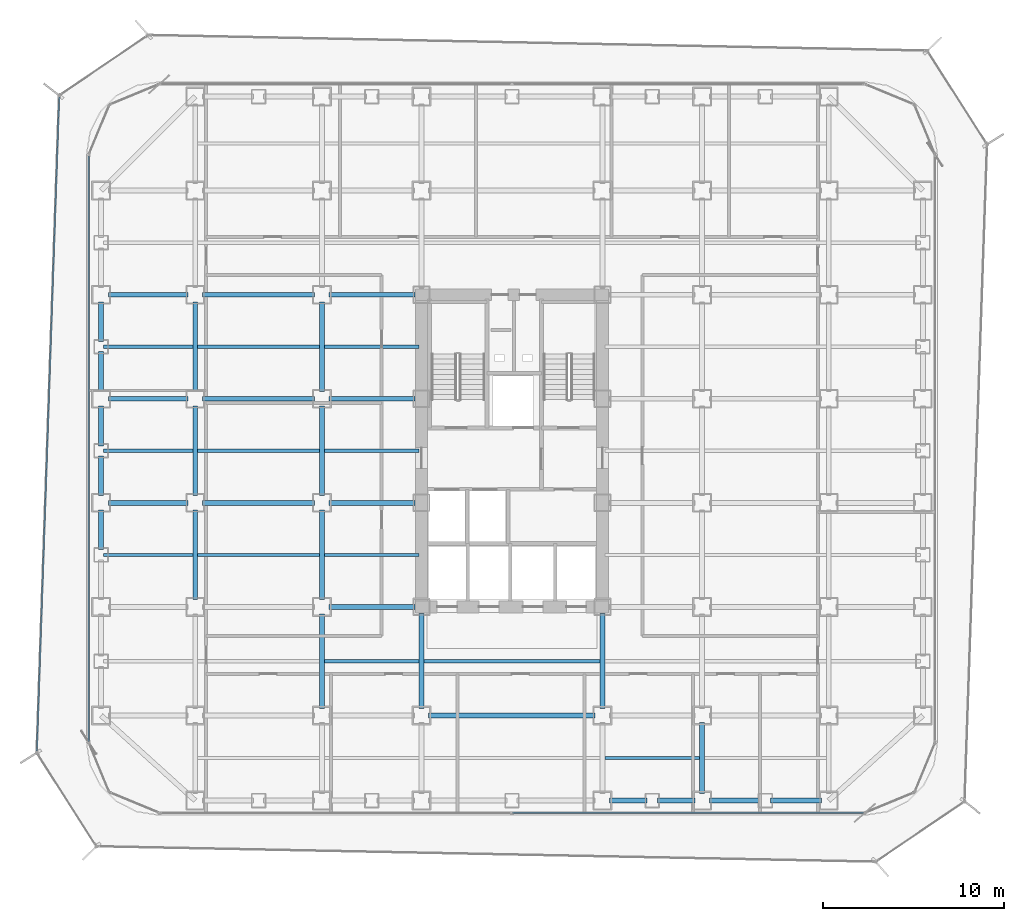
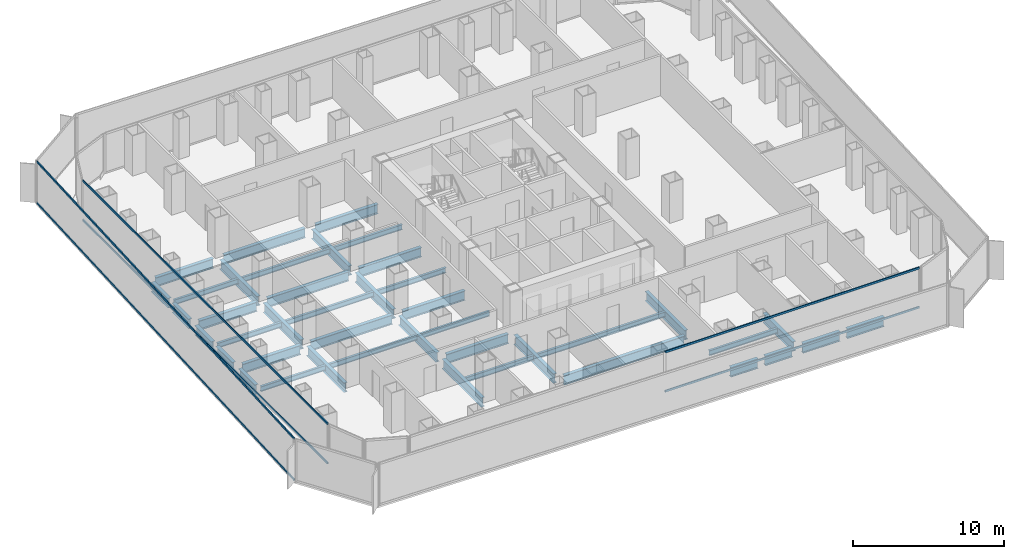
# One storey, part 5 of 22: 42 beams, 6 members, 3 elements without a shape of their own.
"""IFC4 building model written with IfcOpenShell, lengths in metres."""

from ifc_helpers import new_model, si_unit, direction, frame, origin, origin_2d, place, context, subcontext, project, spatial, hollow_rectangle, i_section, extrude, source, transform, mapped, material, layer, layer_set, material_profile, profile_set, type_object, element, aggregate, save


model = new_model("IFC4")

# Units and contexts
model_context = context("Model", 3, precision=1e-05, world=origin(), true_north=direction((0.0, 1.0)))
body_context = subcontext(model_context, "Body", "Model", "MODEL_VIEW")
ifc_project = project(units=[si_unit("LENGTHUNIT", "METRE"), si_unit("AREAUNIT", "SQUARE_METRE"), si_unit("VOLUMEUNIT", "CUBIC_METRE"), si_unit("PLANEANGLEUNIT", "RADIAN"), si_unit("MASSUNIT", "GRAM", prefix="KILO")], contexts=[model_context])

# Site, building, storey
site_placement = place(None, origin())
site = spatial("IfcSite", under=ifc_project, at=site_placement, CompositionType="ELEMENT")
building_placement = place(site_placement, origin())
building = spatial("IfcBuilding", under=site, at=building_placement, Name="Kolveth Station Tower", CompositionType="ELEMENT")
storey_placement = place(building_placement, frame((0.0, 0.0, 84.60009765625)))
storey = spatial("IfcBuildingStorey", under=building, at=storey_placement, Name="L22", CompositionType="ELEMENT", Elevation=84.60009765625)

# Beams
ifc_material_1 = material(Name="Steel S355", Category="steel")
ifc_material_profile_1 = material_profile(ifc_material_1, i_section(OverallWidth=0.26904296875, OverallDepth=0.77490234375, WebThickness=0.01708984375, FlangeThickness=0.0283203125, at=origin_2d()), Name="W760x220")
ifc_profile_set_1 = profile_set([ifc_material_profile_1], Name="Steel S355")
beam_type_1 = type_object("IfcBeamType", Name="Beam_SP1", PredefinedType="SPANDREL", material=ifc_profile_set_1)
shared_shape_1 = source(origin(), body_context, "Body", "SweptSolid", [
    extrude(i_section(OverallWidth=0.26904296875, OverallDepth=0.77490234375, WebThickness=0.01708984375, FlangeThickness=0.0283203125, at=origin_2d()), origin(), (0.0, 0.0, 1.0), 2.820068359375),
])
for number, where, z_axis, x_axis, name in (
    (1, (34.39990234375, 0.800048828125, -0.66748046875), (1.0, 0.0, 0.0), (0.0, 1.0, 0.0), "L22 Perimeter Spandrel BM-L22-PS-9"),
    (2, (37.780029296875, 0.800048828125, -0.66748046875), (1.0, 0.0, 0.0), (0.0, 1.0, 0.0), "L22 Perimeter Spandrel BM-L22-PS-10"),
):
    element("IfcBeam", number, at=place(storey_placement, frame(where, z_axis=z_axis, x_axis=x_axis)), inside=storey, type_object=beam_type_1, Name=name, PredefinedType="SPANDREL", context=body_context, shape_type="MappedRepresentation", body=[
        mapped(shared_shape_1, transform((0.0, 0.0, 0.0), x_axis=(1.0, 0.0, 0.0), y_axis=(0.0, 1.0, 0.0), z_axis=(0.0, 0.0, 1.0), scale=1.0)),
    ])
shared_shape_2 = source(origin(), body_context, "Body", "SweptSolid", [
    extrude(i_section(OverallWidth=0.26904296875, OverallDepth=0.77490234375, WebThickness=0.01708984375, FlangeThickness=0.0283203125, at=origin_2d()), origin(), (0.0, 0.0, 1.0), 2.070068359375),
])
for number, where, z_axis, x_axis, name in (
    (3, (28.89990234375, 0.800048828125, -0.66748046875), (1.0, 0.0, 0.0), (0.0, 1.0, 0.0), "L22 Perimeter Spandrel BM-L22-PS-7"),
    (4, (31.530029296875, 0.800048828125, -0.66748046875), (1.0, 0.0, 0.0), (0.0, 1.0, 0.0), "L22 Perimeter Spandrel BM-L22-PS-8"),
):
    element("IfcBeam", number, at=place(storey_placement, frame(where, z_axis=z_axis, x_axis=x_axis)), inside=storey, type_object=beam_type_1, Name=name, PredefinedType="SPANDREL", context=body_context, shape_type="MappedRepresentation", body=[
        mapped(shared_shape_2, transform((0.0, 0.0, 0.0), x_axis=(1.0, 0.0, 0.0), y_axis=(0.0, 1.0, 0.0), z_axis=(0.0, 0.0, 1.0), scale=1.0)),
    ])
shared_shape_3 = source(origin(), body_context, "Body", "SweptSolid", [
    extrude(i_section(OverallWidth=0.26904296875, OverallDepth=0.77490234375, WebThickness=0.01708984375, FlangeThickness=0.0283203125, at=origin_2d()), origin(), (0.0, 0.0, 1.0), 2.2001953125),
])
for number, where, z_axis, x_axis, name in (
    (5, (0.800048828125, 20.39990234375, -0.66748046875), (0.0, 1.0, 0.0), (-1.0, 0.0, 0.0), "L22 Perimeter Spandrel BM-L22-PW-6"),
    (6, (0.800048828125, 23.39990234375, -0.66748046875), (0.0, 1.0, 0.0), (-1.0, 0.0, 0.0), "L22 Perimeter Spandrel BM-L22-PW-7"),
):
    element("IfcBeam", number, at=place(storey_placement, frame(where, z_axis=z_axis, x_axis=x_axis)), inside=storey, type_object=beam_type_1, Name=name, PredefinedType="SPANDREL", context=body_context, shape_type="MappedRepresentation", body=[
        mapped(shared_shape_3, transform((0.0, 0.0, 0.0), x_axis=(1.0, 0.0, 0.0), y_axis=(0.0, 1.0, 0.0), z_axis=(0.0, 0.0, 1.0), scale=1.0)),
    ])
shared_shape_4 = source(origin(), body_context, "Body", "SweptSolid", [
    extrude(i_section(OverallWidth=0.26904296875, OverallDepth=0.77490234375, WebThickness=0.01708984375, FlangeThickness=0.0283203125, at=origin_2d()), origin(), (0.0, 0.0, 1.0), 2.190185546875),
])
for number, where, z_axis, x_axis, name in (
    (7, (0.800048828125, 14.659912109375, -0.66748046875), (0.0, 1.0, 0.0), (-1.0, 0.0, 0.0), "L22 Perimeter Spandrel BM-L22-PW-4"),
    (8, (0.800048828125, 17.64990234375, -0.66748046875), (0.0, 1.0, 0.0), (-1.0, 0.0, 0.0), "L22 Perimeter Spandrel BM-L22-PW-5"),
    (9, (0.800048828125, 26.159912109375, -0.66748046875), (0.0, 1.0, 0.0), (-1.0, 0.0, 0.0), "L22 Perimeter Spandrel BM-L22-PW-8"),
):
    element("IfcBeam", number, at=place(storey_placement, frame(where, z_axis=z_axis, x_axis=x_axis)), inside=storey, type_object=beam_type_1, Name=name, PredefinedType="SPANDREL", context=body_context, shape_type="MappedRepresentation", body=[
        mapped(shared_shape_4, transform((0.0, 0.0, 0.0), x_axis=(1.0, 0.0, 0.0), y_axis=(0.0, 1.0, 0.0), z_axis=(0.0, 0.0, 1.0), scale=1.0)),
    ])
ifc_material_profile_2 = material_profile(ifc_material_1, i_section(OverallWidth=0.26708984375, OverallDepth=0.76611328125, WebThickness=0.014892578125, FlangeThickness=0.023681640625, at=origin_2d()), Name="W760x185")
ifc_profile_set_2 = profile_set([ifc_material_profile_2], Name="Steel S355")
beam_type_2 = type_object("IfcBeamType", Name="Beam_B3", PredefinedType="BEAM", material=ifc_profile_set_2)
shared_shape_5 = source(origin(), body_context, "Body", "SweptSolid", [
    extrude(i_section(OverallWidth=0.26708984375, OverallDepth=0.76611328125, WebThickness=0.014892578125, FlangeThickness=0.023681640625, at=origin_2d()), origin(), (0.0, 0.0, 1.0), 4.400146484375),
])
for number, where, z_axis, x_axis, name in (
    (10, (1.199951171875, 17.25, -0.6630859375), (1.0, 0.0, 0.0), (0.0, 1.0, 0.0), "L22 Primary Girder BM-L22-GY172-1"),
    (11, (1.199951171875, 23.0, -0.6630859375), (1.0, 0.0, 0.0), (0.0, 1.0, 0.0), "L22 Primary Girder BM-L22-GY230-1"),
    (12, (1.199951171875, 28.75, -0.6630859375), (1.0, 0.0, 0.0), (0.0, 1.0, 0.0), "L22 Primary Girder BM-L22-GY287-1"),
):
    element("IfcBeam", number, at=place(storey_placement, frame(where, z_axis=z_axis, x_axis=x_axis)), inside=storey, type_object=beam_type_2, Name=name, PredefinedType="BEAM", context=body_context, shape_type="MappedRepresentation", body=[
        mapped(shared_shape_5, transform((0.0, 0.0, 0.0), x_axis=(1.0, 0.0, 0.0), y_axis=(0.0, 1.0, 0.0), z_axis=(0.0, 0.0, 1.0), scale=1.0)),
    ])
shared_shape_6 = source(origin(), body_context, "Body", "SweptSolid", [
    extrude(i_section(OverallWidth=0.26708984375, OverallDepth=0.76611328125, WebThickness=0.014892578125, FlangeThickness=0.023681640625, at=origin_2d()), origin(), (0.0, 0.0, 1.0), 6.2001953125),
])
for number, where, z_axis, x_axis, name in (
    (13, (6.39990234375, 17.25, -0.6630859375), (1.0, 0.0, 0.0), (0.0, 1.0, 0.0), "L22 Primary Girder BM-L22-GY172-2"),
    (14, (6.39990234375, 23.0, -0.6630859375), (1.0, 0.0, 0.0), (0.0, 1.0, 0.0), "L22 Primary Girder BM-L22-GY230-2"),
    (15, (6.39990234375, 28.75, -0.6630859375), (1.0, 0.0, 0.0), (0.0, 1.0, 0.0), "L22 Primary Girder BM-L22-GY287-2"),
):
    element("IfcBeam", number, at=place(storey_placement, frame(where, z_axis=z_axis, x_axis=x_axis)), inside=storey, type_object=beam_type_2, Name=name, PredefinedType="BEAM", context=body_context, shape_type="MappedRepresentation", body=[
        mapped(shared_shape_6, transform((0.0, 0.0, 0.0), x_axis=(1.0, 0.0, 0.0), y_axis=(0.0, 1.0, 0.0), z_axis=(0.0, 0.0, 1.0), scale=1.0)),
    ])
shared_shape_7 = source(origin(), body_context, "Body", "SweptSolid", [
    extrude(i_section(OverallWidth=0.26708984375, OverallDepth=0.76611328125, WebThickness=0.014892578125, FlangeThickness=0.023681640625, at=origin_2d()), origin(), (0.0, 0.0, 1.0), 9.2001953125),
])
beam_1_placement = place(storey_placement, frame((18.89990234375, 5.5, -0.6630859375), z_axis=(1.0, 0.0, 0.0), x_axis=(0.0, 1.0, 0.0)))
element("IfcBeam", 16, at=beam_1_placement, inside=storey, type_object=beam_type_2, Name="L22 Primary Girder BM-L22-GY55-4", PredefinedType="BEAM", context=body_context, shape_type="MappedRepresentation", body=[
    mapped(shared_shape_7, transform((0.0, 0.0, 0.0), x_axis=(1.0, 0.0, 0.0), y_axis=(0.0, 1.0, 0.0), z_axis=(0.0, 0.0, 1.0), scale=1.0)),
])
shared_shape_8 = source(origin(), body_context, "Body", "SweptSolid", [
    extrude(i_section(OverallWidth=0.26708984375, OverallDepth=0.76611328125, WebThickness=0.014892578125, FlangeThickness=0.023681640625, at=origin_2d()), origin(), (0.0, 0.0, 1.0), 4.739990234375),
])
for number, where, z_axis, x_axis, name in (
    (17, (13.39990234375, 11.5, -0.6630859375), (1.0, 0.0, 0.0), (0.0, 1.0, 0.0), "L22 Primary Girder BM-L22-GY115-3"),
    (18, (13.39990234375, 17.25, -0.6630859375), (1.0, 0.0, 0.0), (0.0, 1.0, 0.0), "L22 Primary Girder BM-L22-GY172-3"),
    (19, (13.39990234375, 23.0, -0.6630859375), (1.0, 0.0, 0.0), (0.0, 1.0, 0.0), "L22 Primary Girder BM-L22-GY230-3"),
    (20, (13.39990234375, 28.75, -0.6630859375), (1.0, 0.0, 0.0), (0.0, 1.0, 0.0), "L22 Primary Girder BM-L22-GY287-3"),
):
    element("IfcBeam", number, at=place(storey_placement, frame(where, z_axis=z_axis, x_axis=x_axis)), inside=storey, type_object=beam_type_2, Name=name, PredefinedType="BEAM", context=body_context, shape_type="MappedRepresentation", body=[
        mapped(shared_shape_8, transform((0.0, 0.0, 0.0), x_axis=(1.0, 0.0, 0.0), y_axis=(0.0, 1.0, 0.0), z_axis=(0.0, 0.0, 1.0), scale=1.0)),
    ])
shared_shape_9 = source(origin(), body_context, "Body", "SweptSolid", [
    extrude(i_section(OverallWidth=0.26708984375, OverallDepth=0.76611328125, WebThickness=0.014892578125, FlangeThickness=0.023681640625, at=origin_2d()), origin(), (0.0, 0.0, 1.0), 3.900146484375),
])
beam_2_placement = place(storey_placement, frame((34.0, 1.199951171875, -0.6630859375), z_axis=(0.0, 1.0, 0.0), x_axis=(-1.0, 0.0, 0.0)))
element("IfcBeam", 21, at=beam_2_placement, inside=storey, type_object=beam_type_2, Name="L22 Primary Girder BM-L22-GX340-1", PredefinedType="BEAM", context=body_context, shape_type="MappedRepresentation", body=[
    mapped(shared_shape_9, transform((0.0, 0.0, 0.0), x_axis=(1.0, 0.0, 0.0), y_axis=(0.0, 1.0, 0.0), z_axis=(0.0, 0.0, 1.0), scale=1.0)),
])
shared_shape_10 = source(origin(), body_context, "Body", "SweptSolid", [
    extrude(i_section(OverallWidth=0.26708984375, OverallDepth=0.76611328125, WebThickness=0.014892578125, FlangeThickness=0.023681640625, at=origin_2d()), origin(), (0.0, 0.0, 1.0), 5.2001953125),
])
beam_3_placement = place(storey_placement, frame((13.0, 5.89990234375, -0.6630859375), z_axis=(0.0, 1.0, 0.0), x_axis=(-1.0, 0.0, 0.0)))
element("IfcBeam", 22, at=beam_3_placement, inside=storey, type_object=beam_type_2, Name="L22 Primary Girder BM-L22-GX130-2", PredefinedType="BEAM", context=body_context, shape_type="MappedRepresentation", body=[
    mapped(shared_shape_10, transform((0.0, 0.0, 0.0), x_axis=(1.0, 0.0, 0.0), y_axis=(0.0, 1.0, 0.0), z_axis=(0.0, 0.0, 1.0), scale=1.0)),
])
shared_shape_11 = source(origin(), body_context, "Body", "SweptSolid", [
    extrude(i_section(OverallWidth=0.26708984375, OverallDepth=0.76611328125, WebThickness=0.014892578125, FlangeThickness=0.023681640625, at=origin_2d()), origin(), (0.0, 0.0, 1.0), 4.9501953125),
])
for number, where, z_axis, x_axis, name in (
    (23, (6.0, 11.89990234375, -0.6630859375), (0.0, 1.0, 0.0), (-1.0, 0.0, 0.0), "L22 Primary Girder BM-L22-GX60-3"),
    (24, (6.0, 17.64990234375, -0.6630859375), (0.0, 1.0, 0.0), (-1.0, 0.0, 0.0), "L22 Primary Girder BM-L22-GX60-4"),
    (25, (6.0, 23.39990234375, -0.6630859375), (0.0, 1.0, 0.0), (-1.0, 0.0, 0.0), "L22 Primary Girder BM-L22-GX60-5"),
    (26, (13.0, 11.89990234375, -0.6630859375), (0.0, 1.0, 0.0), (-1.0, 0.0, 0.0), "L22 Primary Girder BM-L22-GX130-3"),
    (27, (13.0, 17.64990234375, -0.6630859375), (0.0, 1.0, 0.0), (-1.0, 0.0, 0.0), "L22 Primary Girder BM-L22-GX130-4"),
    (28, (13.0, 23.39990234375, -0.6630859375), (0.0, 1.0, 0.0), (-1.0, 0.0, 0.0), "L22 Primary Girder BM-L22-GX130-5"),
):
    element("IfcBeam", number, at=place(storey_placement, frame(where, z_axis=z_axis, x_axis=x_axis)), inside=storey, type_object=beam_type_2, Name=name, PredefinedType="BEAM", context=body_context, shape_type="MappedRepresentation", body=[
        mapped(shared_shape_11, transform((0.0, 0.0, 0.0), x_axis=(1.0, 0.0, 0.0), y_axis=(0.0, 1.0, 0.0), z_axis=(0.0, 0.0, 1.0), scale=1.0)),
    ])
shared_shape_12 = source(origin(), body_context, "Body", "SweptSolid", [
    extrude(i_section(OverallWidth=0.26708984375, OverallDepth=0.76611328125, WebThickness=0.014892578125, FlangeThickness=0.023681640625, at=origin_2d()), origin(), (0.0, 0.0, 1.0), 5.239990234375),
])
for number, where, z_axis, x_axis, name in (
    (29, (18.5, 5.89990234375, -0.6630859375), (0.0, 1.0, 0.0), (-1.0, 0.0, 0.0), "L22 Primary Girder BM-L22-GX185-2"),
    (30, (28.5, 5.89990234375, -0.6630859375), (0.0, 1.0, 0.0), (-1.0, 0.0, 0.0), "L22 Primary Girder BM-L22-GX285-2"),
):
    element("IfcBeam", number, at=place(storey_placement, frame(where, z_axis=z_axis, x_axis=x_axis)), inside=storey, type_object=beam_type_2, Name=name, PredefinedType="BEAM", context=body_context, shape_type="MappedRepresentation", body=[
        mapped(shared_shape_12, transform((0.0, 0.0, 0.0), x_axis=(1.0, 0.0, 0.0), y_axis=(0.0, 1.0, 0.0), z_axis=(0.0, 0.0, 1.0), scale=1.0)),
    ])
ifc_material_profile_3 = material_profile(ifc_material_1, i_section(OverallWidth=0.177978515625, OverallDepth=0.406982421875, WebThickness=0.0078125, FlangeThickness=0.0126953125, at=origin_2d()), Name="W410x60")
ifc_profile_set_3 = profile_set([ifc_material_profile_3], Name="Steel S355")
beam_type_3 = type_object("IfcBeamType", Name="Beam_J1", PredefinedType="JOIST", material=ifc_profile_set_3)
shared_shape_13 = source(origin(), body_context, "Body", "SweptSolid", [
    extrude(i_section(OverallWidth=0.177978515625, OverallDepth=0.406982421875, WebThickness=0.0078125, FlangeThickness=0.0126953125, at=origin_2d()), origin(), (0.0, 0.0, 1.0), 4.935791015625),
])
for number, where, z_axis, x_axis, name in (
    (31, (0.9326171875, 14.375, -0.483642578125), (1.0, 0.0, 0.0), (0.0, 1.0, 0.0), "L22 Secondary Joist JST-L22-1-3"),
    (32, (0.9326171875, 20.125, -0.483642578125), (1.0, 0.0, 0.0), (0.0, 1.0, 0.0), "L22 Secondary Joist JST-L22-1-4"),
    (33, (0.9326171875, 25.875, -0.483642578125), (1.0, 0.0, 0.0), (0.0, 1.0, 0.0), "L22 Secondary Joist JST-L22-1-5"),
):
    element("IfcBeam", number, at=place(storey_placement, frame(where, z_axis=z_axis, x_axis=x_axis)), inside=storey, type_object=beam_type_3, Name=name, PredefinedType="JOIST", context=body_context, shape_type="MappedRepresentation", body=[
        mapped(shared_shape_13, transform((0.0, 0.0, 0.0), x_axis=(1.0, 0.0, 0.0), y_axis=(0.0, 1.0, 0.0), z_axis=(0.0, 0.0, 1.0), scale=1.0)),
    ])
shared_shape_14 = source(origin(), body_context, "Body", "SweptSolid", [
    extrude(i_section(OverallWidth=0.177978515625, OverallDepth=0.406982421875, WebThickness=0.0078125, FlangeThickness=0.0126953125, at=origin_2d()), origin(), (0.0, 0.0, 1.0), 6.73681640625),
])
for number, where, z_axis, x_axis, name in (
    (34, (6.131591796875, 14.375, -0.483642578125), (1.0, 0.0, 0.0), (0.0, 1.0, 0.0), "L22 Secondary Joist JST-L22-2-3"),
    (35, (6.131591796875, 20.125, -0.483642578125), (1.0, 0.0, 0.0), (0.0, 1.0, 0.0), "L22 Secondary Joist JST-L22-2-4"),
    (36, (6.131591796875, 25.875, -0.483642578125), (1.0, 0.0, 0.0), (0.0, 1.0, 0.0), "L22 Secondary Joist JST-L22-2-5"),
):
    element("IfcBeam", number, at=place(storey_placement, frame(where, z_axis=z_axis, x_axis=x_axis)), inside=storey, type_object=beam_type_3, Name=name, PredefinedType="JOIST", context=body_context, shape_type="MappedRepresentation", body=[
        mapped(shared_shape_14, transform((0.0, 0.0, 0.0), x_axis=(1.0, 0.0, 0.0), y_axis=(0.0, 1.0, 0.0), z_axis=(0.0, 0.0, 1.0), scale=1.0)),
    ])
shared_shape_15 = source(origin(), body_context, "Body", "SweptSolid", [
    extrude(i_section(OverallWidth=0.177978515625, OverallDepth=0.406982421875, WebThickness=0.0078125, FlangeThickness=0.0126953125, at=origin_2d()), origin(), (0.0, 0.0, 1.0), 5.23681640625),
])
for number, where, z_axis, x_axis, name in (
    (37, (13.131591796875, 8.5, -0.483642578125), (1.0, 0.0, 0.0), (0.0, 1.0, 0.0), "L22 Secondary Joist JST-L22-3-2"),
    (38, (13.131591796875, 14.375, -0.483642578125), (1.0, 0.0, 0.0), (0.0, 1.0, 0.0), "L22 Secondary Joist JST-L22-3-3"),
    (39, (13.131591796875, 20.125, -0.483642578125), (1.0, 0.0, 0.0), (0.0, 1.0, 0.0), "L22 Secondary Joist JST-L22-3-4"),
    (40, (13.131591796875, 25.875, -0.483642578125), (1.0, 0.0, 0.0), (0.0, 1.0, 0.0), "L22 Secondary Joist JST-L22-3-5"),
    (41, (28.631591796875, 3.14990234375, -0.483642578125), (1.0, 0.0, 0.0), (0.0, 1.0, 0.0), "L22 Secondary Joist JST-L22-5-1"),
):
    element("IfcBeam", number, at=place(storey_placement, frame(where, z_axis=z_axis, x_axis=x_axis)), inside=storey, type_object=beam_type_3, Name=name, PredefinedType="JOIST", context=body_context, shape_type="MappedRepresentation", body=[
        mapped(shared_shape_15, transform((0.0, 0.0, 0.0), x_axis=(1.0, 0.0, 0.0), y_axis=(0.0, 1.0, 0.0), z_axis=(0.0, 0.0, 1.0), scale=1.0)),
    ])
shared_shape_16 = source(origin(), body_context, "Body", "SweptSolid", [
    extrude(i_section(OverallWidth=0.177978515625, OverallDepth=0.406982421875, WebThickness=0.0078125, FlangeThickness=0.0126953125, at=origin_2d()), origin(), (0.0, 0.0, 1.0), 9.73681640625),
])
beam_4_placement = place(storey_placement, frame((18.631591796875, 8.5, -0.483642578125), z_axis=(1.0, 0.0, 0.0), x_axis=(0.0, 1.0, 0.0)))
element("IfcBeam", 42, at=beam_4_placement, inside=storey, type_object=beam_type_3, Name="L22 Secondary Joist JST-L22-4-2", PredefinedType="JOIST", context=body_context, shape_type="MappedRepresentation", body=[
    mapped(shared_shape_16, transform((0.0, 0.0, 0.0), x_axis=(1.0, 0.0, 0.0), y_axis=(0.0, 1.0, 0.0), z_axis=(0.0, 0.0, 1.0), scale=1.0)),
])

# Curtain wall, members
ifc_material_2 = material(Name="Aluminium 6063-T6 and low-E dark glass", Category="aluminium")
ifc_layer_1 = layer(ifc_material_2, 0.179931640625)
ifc_layer_set_1 = layer_set([ifc_layer_1], Name="Aluminium 6063-T6 and low-E dark glass")
curtain_wall_type_1 = type_object("IfcCurtainWallType", Name="CurtainWall_CW-Z1", PredefinedType="NOTDEFINED", material=ifc_layer_set_1)
curtain_wall_1_placement = place(storey_placement, origin())
curtain_wall_1 = element("IfcCurtainWall", 43, at=curtain_wall_1_placement, inside=storey, type_object=curtain_wall_type_1, Name="L22 Inner Thermal Curtain Wall 9", PredefinedType="NOTDEFINED")
ifc_material_3 = material(Name="Black anodized aluminium 6063-T6", Category="aluminium")
ifc_material_profile_4 = material_profile(ifc_material_3, hollow_rectangle(XDim=0.074951171875, YDim=0.159912109375, WallThickness=0.0048828125, at=origin_2d()), Name="ALU-75x160x5")
ifc_profile_set_4 = profile_set([ifc_material_profile_4], Name="Black anodized aluminium 6063-T6")
member_type_1 = type_object("IfcMemberType", Name="Transom_TR1", PredefinedType="USERDEFINED", material=ifc_profile_set_4)
shared_shape_17 = source(origin(), body_context, "Body", "SweptSolid", [
    extrude(hollow_rectangle(XDim=0.074951171875, YDim=0.159912109375, WallThickness=0.0048828125, at=origin_2d()), origin(), (0.0, 0.0, 1.0), 32.35009765625),
])
member_1_placement = place(storey_placement, frame((0.1201171875, 36.425048828125, 0.037353515625), z_axis=(0.0, -1.0, 0.0), x_axis=(1.0, 0.0, 0.0)))
member_1 = element("IfcMember", 44, at=member_1_placement, type_object=member_type_1, Name="CW-Z1 transom 1.1", ObjectType="TRANSOM", PredefinedType="USERDEFINED", context=body_context, shape_type="MappedRepresentation", body=[
    mapped(shared_shape_17, transform((0.0, 0.0, 0.0), x_axis=(1.0, 0.0, 0.0), y_axis=(0.0, 1.0, 0.0), z_axis=(0.0, 0.0, 1.0), scale=1.0)),
])
member_2_placement = place(storey_placement, frame((0.1201171875, 36.425048828125, 3.202392578125), z_axis=(0.0, -1.0, 0.0), x_axis=(1.0, 0.0, 0.0)))
member_2 = element("IfcMember", 45, at=member_2_placement, type_object=member_type_1, Name="CW-Z1 transom 1.2", ObjectType="TRANSOM", PredefinedType="USERDEFINED", context=body_context, shape_type="MappedRepresentation", body=[
    mapped(shared_shape_17, transform((0.0, 0.0, 0.0), x_axis=(1.0, 0.0, 0.0), y_axis=(0.0, 1.0, 0.0), z_axis=(0.0, 0.0, 1.0), scale=1.0)),
])
aggregate(curtain_wall_1, [member_1, member_2])

curtain_wall_2_placement = place(storey_placement, origin())
curtain_wall_2 = element("IfcCurtainWall", 46, at=curtain_wall_2_placement, inside=storey, type_object=curtain_wall_type_1, Name="L22 Inner Thermal Curtain Wall 12", PredefinedType="NOTDEFINED")
shared_shape_18 = source(origin(), body_context, "Body", "SweptSolid", [
    extrude(hollow_rectangle(XDim=0.074951171875, YDim=0.159912109375, WallThickness=0.0048828125, at=origin_2d()), origin(), (0.0, 0.0, 1.0), 19.387451171875),
])
member_3_placement = place(storey_placement, frame((23.53759765625, 0.1201171875, 0.037353515625), z_axis=(1.0, 0.0, 0.0), x_axis=(0.0, 1.0, 0.0)))
member_3 = element("IfcMember", 47, at=member_3_placement, type_object=member_type_1, Name="CW-Z1 transom 2.1", ObjectType="TRANSOM", PredefinedType="USERDEFINED", context=body_context, shape_type="MappedRepresentation", body=[
    mapped(shared_shape_18, transform((0.0, 0.0, 0.0), x_axis=(1.0, 0.0, 0.0), y_axis=(0.0, 1.0, 0.0), z_axis=(0.0, 0.0, 1.0), scale=1.0)),
])
member_4_placement = place(storey_placement, frame((23.53759765625, 0.1201171875, 3.202392578125), z_axis=(1.0, 0.0, 0.0), x_axis=(0.0, 1.0, 0.0)))
member_4 = element("IfcMember", 48, at=member_4_placement, type_object=member_type_1, Name="CW-Z1 transom 2.2", ObjectType="TRANSOM", PredefinedType="USERDEFINED", context=body_context, shape_type="MappedRepresentation", body=[
    mapped(shared_shape_18, transform((0.0, 0.0, 0.0), x_axis=(1.0, 0.0, 0.0), y_axis=(0.0, 1.0, 0.0), z_axis=(0.0, 0.0, 1.0), scale=1.0)),
])
aggregate(curtain_wall_2, [member_3, member_4])

ifc_material_4 = material(Name="Black anodized aluminium 6063-T6 and dark solar glass", Category="aluminium")
ifc_layer_2 = layer(ifc_material_4, 0.159912109375)
ifc_layer_set_2 = layer_set([ifc_layer_2], Name="Black anodized aluminium 6063-T6 and dark solar glass")
curtain_wall_type_2 = type_object("IfcCurtainWallType", Name="OUTER SKIN CW-OS", PredefinedType="NOTDEFINED", material=ifc_layer_set_2)
curtain_wall_3_placement = place(storey_placement, origin())
curtain_wall_3 = element("IfcCurtainWall", 49, at=curtain_wall_3_placement, inside=storey, type_object=curtain_wall_type_2, Name="L22 Outer Ventilated Skin Curtain Wall 6", PredefinedType="NOTDEFINED")
ifc_material_profile_5 = material_profile(ifc_material_3, hollow_rectangle(XDim=0.080078125, YDim=0.14990234375, WallThickness=0.0048828125, at=origin_2d()), Name="ALU-80x150x5")
ifc_profile_set_5 = profile_set([ifc_material_profile_5], Name="Black anodized aluminium 6063-T6")
member_type_2 = type_object("IfcMemberType", Name="Transom_TR-OS", PredefinedType="USERDEFINED", material=ifc_profile_set_5)
shared_shape_19 = source(origin(), body_context, "Body", "SweptSolid", [
    extrude(hollow_rectangle(XDim=0.080078125, YDim=0.14990234375, WallThickness=0.0048828125, at=origin_2d()), origin(), (0.0, 0.0, 1.0), 36.15185546875),
])
member_5_placement = place(storey_placement, frame((-1.517333984375, 39.66552734375, 0.039794921875), z_axis=(-0.034130597909, -0.999417381421, 0.0), x_axis=(0.999417381421, -0.034130597909, 0.0)))
member_5 = element("IfcMember", 50, at=member_5_placement, type_object=member_type_2, Name="CW-OS transom 1.1", ObjectType="TRANSOM", PredefinedType="USERDEFINED", context=body_context, shape_type="MappedRepresentation", body=[
    mapped(shared_shape_19, transform((0.0, 0.0, 0.0), x_axis=(1.0, 0.0, 0.0), y_axis=(0.0, 1.0, 0.0), z_axis=(0.0, 0.0, 1.0), scale=1.0)),
])
member_6_placement = place(storey_placement, frame((-1.517333984375, 39.66552734375, 3.349853515625), z_axis=(-0.034130597909, -0.999417381421, 0.0), x_axis=(0.999417381421, -0.034130597909, 0.0)))
member_6 = element("IfcMember", 51, at=member_6_placement, type_object=member_type_2, Name="CW-OS transom 1.2", ObjectType="TRANSOM", PredefinedType="USERDEFINED", context=body_context, shape_type="MappedRepresentation", body=[
    mapped(shared_shape_19, transform((0.0, 0.0, 0.0), x_axis=(1.0, 0.0, 0.0), y_axis=(0.0, 1.0, 0.0), z_axis=(0.0, 0.0, 1.0), scale=1.0)),
])
aggregate(curtain_wall_3, [member_5, member_6])

save(model, "model.ifc")
